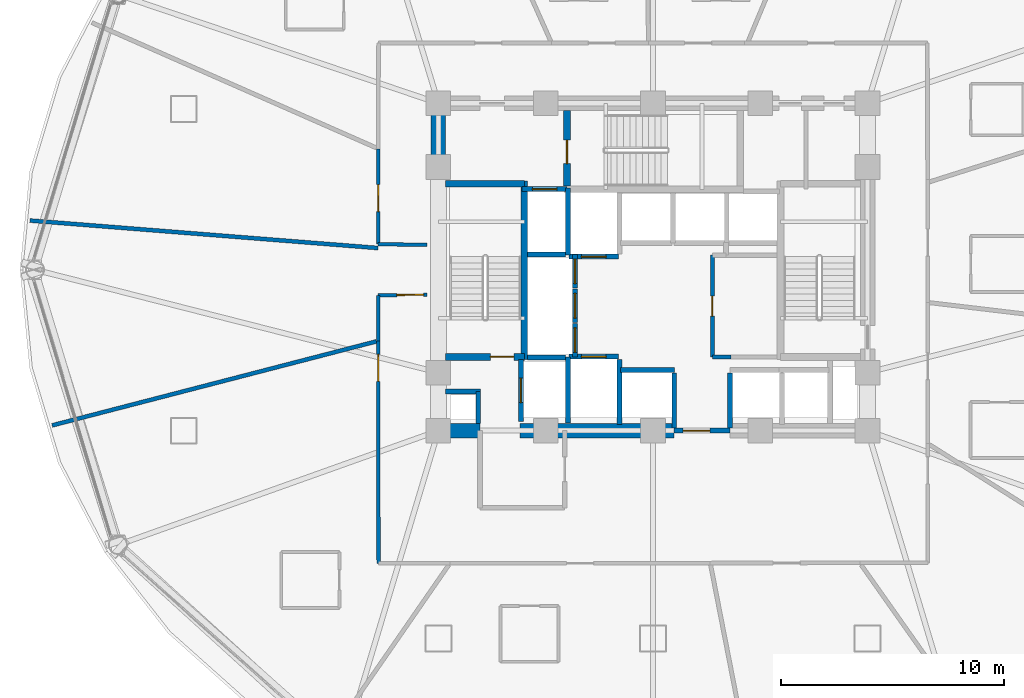
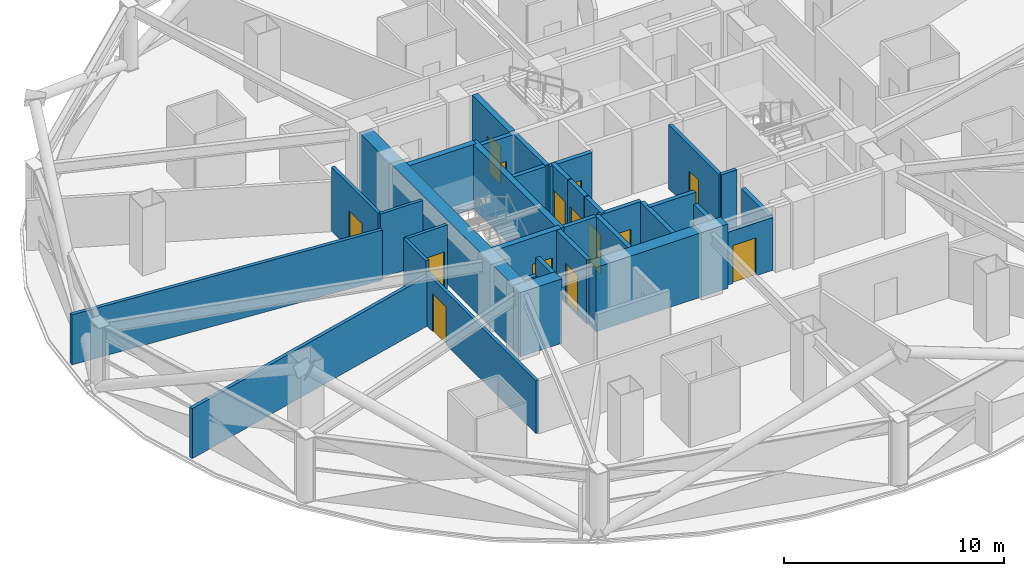
# One storey, part 25 of 33: 34 walls, 14 doors, 14 openings.
"""IFC4 building model written with IfcOpenShell, lengths in metres."""

from ifc_helpers import new_model, si_unit, direction, frame, frame_2d, origin, place, context, subcontext, project, spatial, rectangle, extrude, material, layer, layer_set, type_object, element, fill, save


model = new_model("IFC4")

# Units and contexts
model_context = context("Model", 3, precision=1e-05, world=origin(), true_north=direction((0.0, 1.0)))
body_context = subcontext(model_context, "Body", "Model", "MODEL_VIEW")
ifc_project = project(units=[si_unit("LENGTHUNIT", "METRE"), si_unit("AREAUNIT", "SQUARE_METRE"), si_unit("VOLUMEUNIT", "CUBIC_METRE"), si_unit("PLANEANGLEUNIT", "RADIAN"), si_unit("MASSUNIT", "GRAM", prefix="KILO")], contexts=[model_context])

# Site, building, storey
site_placement = place(None, origin())
site = spatial("IfcSite", under=ifc_project, at=site_placement, CompositionType="ELEMENT")
building_placement = place(site_placement, origin())
building = spatial("IfcBuilding", under=site, at=building_placement, Name="Vantalir Tower", CompositionType="ELEMENT")
storey_placement = place(building_placement, frame((0.0, 0.0, 72.0)))
storey = spatial("IfcBuildingStorey", under=building, at=storey_placement, Name="L17", CompositionType="ELEMENT", Elevation=72.0)

# Walls
ifc_material_1 = material(Name="Concrete C60/75", Category="concrete")
ifc_layer_1 = layer(ifc_material_1, 0.64990234375)
ifc_layer_set_1 = layer_set([ifc_layer_1], Name="Concrete C60/75")
wall_type_1 = type_object("IfcWallType", Name="WL-CORE-650", PredefinedType="SHEAR", material=ifc_layer_set_1)
wall_1_placement = place(storey_placement, frame((21.574951171875, 17.800048828125, 0.0), z_axis=(0.0, 0.0, 1.0), x_axis=(1.0, 0.0, 0.0)))
element("IfcWall", 1, at=wall_1_placement, inside=storey, type_object=wall_type_1, Name="L17 Core Shear Wall South-West", PredefinedType="SHEAR", context=body_context, shape_type="SweptSolid", body=[
    extrude(rectangle(XDim=2.175048828125, YDim=0.64990234375, at=frame_2d((1.08740234375, 0.0))), origin(), (0.0, 0.0, 1.0), 3.570068359375),
])
wall_2_placement = place(storey_placement, frame((25.550048828125, 17.800048828125, 0.0), z_axis=(0.0, 0.0, 1.0), x_axis=(1.0, 0.0, 0.0)))
element("IfcWall", 2, at=wall_2_placement, inside=storey, type_object=wall_type_1, Name="L17 Core Shear Wall South-Mid", PredefinedType="SHEAR", context=body_context, shape_type="SweptSolid", body=[
    extrude(rectangle(XDim=6.89990234375, YDim=0.64990234375, at=frame_2d((3.449951171875, 0.0))), origin(), (0.0, 0.0, 1.0), 3.570068359375),
])
wall_3_placement = place(storey_placement, frame((21.89990234375, 18.125, 0.0), z_axis=(0.0, 0.0, 1.0), x_axis=(0.0, 1.0, 0.0)))
element("IfcWall", 3, at=wall_3_placement, inside=storey, type_object=wall_type_1, Name="L17 Core Shear Wall West", PredefinedType="SHEAR", context=body_context, shape_type="SweptSolid", body=[
    extrude(rectangle(XDim=14.0, YDim=0.64990234375, at=frame_2d((7.0, 0.0))), origin(), (0.0, 0.0, 1.0), 3.570068359375),
])
ifc_material_2 = material(Name="Fire-rated hotel corridor acoustic partition", Category="gypsum")
ifc_layer_2 = layer(ifc_material_2, 0.159912109375)
ifc_layer_set_2 = layer_set([ifc_layer_2], Name="Fire-rated hotel corridor acoustic partition")
wall_type_2 = type_object("IfcWallType", Name="WL-CORR-160", PredefinedType="PARTITIONING", material=ifc_layer_set_2)
wall_4_placement = place(storey_placement, frame((21.39501953125, 26.116943359375, 0.0), z_axis=(0.0, 0.0, 1.0), x_axis=(-0.999934504226, 0.011444966545, 0.0)))
element("IfcWall", 4, at=wall_4_placement, inside=storey, type_object=wall_type_2, Name="L17 Corridor Partition 01", PredefinedType="PARTITIONING", context=body_context, shape_type="SweptSolid", body=[
    extrude(rectangle(XDim=2.197265625, YDim=0.159912109375, at=frame_2d((1.0986328125, 0.0))), origin(), (0.0, 0.0, 1.0), 3.550048828125),
])

# Wall, opening, door
wall_5_placement = place(storey_placement, frame((19.197998046875, 26.14208984375, 0.0), z_axis=(0.0, 0.0, 1.0), x_axis=(0.002342582991, 0.999997256149, 0.0)))
wall_5 = element("IfcWall", 5, at=wall_5_placement, inside=storey, type_object=wall_type_2, Name="L17 Corridor Partition 02", PredefinedType="PARTITIONING", context=body_context, shape_type="SweptSolid", body=[
    extrude(rectangle(XDim=4.27294921875, YDim=0.159912109375, at=frame_2d((2.136474609375, 0.0))), origin(), (0.0, 0.0, 1.0), 3.550048828125),
])
opening_1_placement = place(wall_5_placement, frame((1.464111328125, 0.0, 0.0)))
opening_1 = element("IfcOpeningElement", 6, at=opening_1_placement, cuts=wall_5, Name="Opening D-STE", PredefinedType="OPENING", context=body_context, shape_type="SweptSolid", body=[
    extrude(rectangle(XDim=1.199951171875, YDim=2.10009765625, at=frame_2d((0.60009765625, 1.050048828125))), frame((0.0, 0.08984375, 0.0), z_axis=(0.0, -1.0, 0.0), x_axis=(1.0, 0.0, 0.0)), (0.0, 0.0, 1.0), 0.179931640625),
])
ifc_material_3 = material(Name="Solid-core teak veneer suite entrance door", Category="wood")
door_type_1 = type_object("IfcDoorType", Name="DR-SUITE-ENTRY-1200", OperationType="NOTDEFINED", PredefinedType="DOOR", material=ifc_material_3)
door_1_placement = place(opening_1_placement, origin())
door_1 = element("IfcDoor", 7, at=door_1_placement, inside=storey, type_object=door_type_1, Name="L17 Executive Sky Boardroom 05 Door", OperationType="SINGLE_SWING_LEFT", OverallHeight=2.10009765625, OverallWidth=1.199951171875, PredefinedType="DOOR", context=body_context, shape_type="SweptSolid", body=[
    extrude(rectangle(XDim=1.199951171875, YDim=2.10009765625, at=frame_2d((0.60009765625, 1.050048828125))), frame((0.0, 0.02490234375, 0.0), z_axis=(0.0, -1.0, 0.0), x_axis=(1.0, 0.0, 0.0)), (0.0, 0.0, 1.0), 0.050048828125),
])
fill(opening_1, door_1)

wall_6_placement = place(storey_placement, frame((19.218994140625, 11.866943359375, 0.0), z_axis=(0.0, 0.0, 1.0), x_axis=(-0.001717915349, 0.999998524382, 0.0)))
wall_6 = element("IfcWall", 8, at=wall_6_placement, inside=storey, type_object=wall_type_2, Name="L17 Corridor Partition 16", PredefinedType="PARTITIONING", context=body_context, shape_type="SweptSolid", body=[
    extrude(rectangle(XDim=9.947998046875, YDim=0.159912109375, at=frame_2d((4.97412109375, 0.0))), origin(), (0.0, 0.0, 1.0), 2.927978515625),
])
opening_2_placement = place(wall_6_placement, frame((8.14404296875, 0.0, 0.0)))
opening_2 = element("IfcOpeningElement", 9, at=opening_2_placement, cuts=wall_6, Name="Opening D-STE", PredefinedType="OPENING", context=body_context, shape_type="SweptSolid", body=[
    extrude(rectangle(XDim=1.199951171875, YDim=2.10009765625, at=frame_2d((0.60009765625, 1.050048828125))), frame((0.0, 0.08984375, 0.0), z_axis=(0.0, -1.0, 0.0), x_axis=(1.0, 0.0, 0.0)), (0.0, 0.0, 1.0), 0.179931640625),
])
door_2_placement = place(opening_2_placement, origin())
door_2 = element("IfcDoor", 10, at=door_2_placement, inside=storey, type_object=door_type_1, Name="L17 Executive Club Hotel Suite 07 Door", OperationType="SINGLE_SWING_LEFT", OverallHeight=2.10009765625, OverallWidth=1.199951171875, PredefinedType="DOOR", context=body_context, shape_type="SweptSolid", body=[
    extrude(rectangle(XDim=1.199951171875, YDim=2.10009765625, at=frame_2d((0.60009765625, 1.050048828125))), frame((0.0, 0.02490234375, 0.0), z_axis=(0.0, -1.0, 0.0), x_axis=(1.0, 0.0, 0.0)), (0.0, 0.0, 1.0), 0.050048828125),
])
fill(opening_2, door_2)

# Wall
wall_7_placement = place(storey_placement, frame((19.201904296875, 21.81494140625, 0.0), z_axis=(0.0, 0.0, 1.0), x_axis=(-0.001912042394, 0.999998172045, 0.0)))
element("IfcWall", 11, at=wall_7_placement, inside=storey, type_object=wall_type_2, Name="L17 Corridor Partition 17", PredefinedType="PARTITIONING", context=body_context, shape_type="SweptSolid", body=[
    extrude(rectangle(XDim=2.04296875, YDim=0.159912109375, at=frame_2d((1.021484375, 0.0))), origin(), (0.0, 0.0, 1.0), 3.550048828125),
])

# Wall, opening, door
wall_8_placement = place(storey_placement, frame((19.197998046875, 23.85791015625, 0.0), z_axis=(0.0, 0.0, 1.0), x_axis=(0.999912578456, 0.013222535486, 0.0)))
wall_8 = element("IfcWall", 12, at=wall_8_placement, inside=storey, type_object=wall_type_2, Name="L17 Corridor Partition 18", PredefinedType="PARTITIONING", context=body_context, shape_type="SweptSolid", body=[
    extrude(rectangle(XDim=2.197265625, YDim=0.159912109375, at=frame_2d((1.0986328125, 0.0))), origin(), (0.0, 0.0, 1.0), 3.550048828125),
])
opening_3_placement = place(wall_8_placement, frame((0.8369140625, 0.0, 0.0)))
opening_3 = element("IfcOpeningElement", 13, at=opening_3_placement, cuts=wall_8, Name="Opening D-STE", PredefinedType="OPENING", context=body_context, shape_type="SweptSolid", body=[
    extrude(rectangle(XDim=1.199951171875, YDim=2.10009765625, at=frame_2d((0.60009765625, 1.050048828125))), frame((0.0, 0.08984375, 0.0), z_axis=(0.0, -1.0, 0.0), x_axis=(1.0, 0.0, 0.0)), (0.0, 0.0, 1.0), 0.179931640625),
])
door_3_placement = place(opening_3_placement, origin())
door_3 = element("IfcDoor", 14, at=door_3_placement, inside=storey, type_object=door_type_1, Name="L17 Executive Sky Boardroom 06 Door", OperationType="SINGLE_SWING_RIGHT", OverallHeight=2.10009765625, OverallWidth=1.199951171875, PredefinedType="DOOR", context=body_context, shape_type="SweptSolid", body=[
    extrude(rectangle(XDim=1.199951171875, YDim=2.10009765625, at=frame_2d((0.60009765625, 1.050048828125))), frame((0.0, 0.02490234375, 0.0), z_axis=(0.0, -1.0, 0.0), x_axis=(1.0, 0.0, 0.0)), (0.0, 0.0, 1.0), 0.050048828125),
])
fill(opening_3, door_3)

# Walls
ifc_material_4 = material(Name="Concrete blockwork with fireboard lining", Category="masonry")
ifc_layer_3 = layer(ifc_material_4, 0.219970703125)
ifc_layer_set_3 = layer_set([ifc_layer_3], Name="Concrete blockwork with fireboard lining")
wall_type_3 = type_object("IfcWallType", Name="WL-FFL-220", PredefinedType="PARTITIONING", material=ifc_layer_set_3)
wall_9_placement = place(storey_placement, frame((30.0, 18.080078125, 0.0), z_axis=(0.0, 0.0, 1.0), x_axis=(0.0, 1.0, 0.0)))
element("IfcWall", 15, at=wall_9_placement, inside=storey, type_object=wall_type_3, Name="L17 Service Lift SV1 East Shaft Wall", PredefinedType="PARTITIONING", context=body_context, shape_type="SweptSolid", body=[
    extrude(rectangle(XDim=2.89990234375, YDim=0.219970703125, at=frame_2d((1.449951171875, 0.0))), origin(), (0.0, 0.0, 1.0), 3.544921875),
])
for number, where, z_axis, x_axis, name in (
    (16, (32.449951171875, 17.919921875, 0.0), (0.0, 0.0, 1.0), (0.0, 1.0, 0.0), "L17 Shuttle Lift PL-X1 East Shaft Cheek"),
    (17, (34.949951171875, 17.919921875, 0.0), (0.0, 0.0, 1.0), (0.0, 1.0, 0.0), "L17 Shuttle Lift PL-X3 West Shaft Cheek"),
):
    element("IfcWall", number, at=place(storey_placement, frame(where, z_axis=z_axis, x_axis=x_axis)), inside=storey, type_object=wall_type_3, Name=name, PredefinedType="PARTITIONING", context=body_context, shape_type="SweptSolid", body=[
        extrude(rectangle(XDim=2.469970703125, YDim=0.219970703125, at=frame_2d((1.23486328125, 0.0))), origin(), (0.0, 0.0, 1.0), 2.927978515625),
    ])

# Wall, opening, door
wall_10_placement = place(storey_placement, frame((32.449951171875, 17.800048828125, 0.0), z_axis=(0.0, 0.0, 1.0), x_axis=(1.0, 0.0, 0.0)))
wall_10 = element("IfcWall", 18, at=wall_10_placement, inside=storey, type_object=wall_type_3, Name="L17 Passenger Lift Lobby South Wall", PredefinedType="PARTITIONING", context=body_context, shape_type="SweptSolid", body=[
    extrude(rectangle(XDim=2.5, YDim=0.219970703125, at=frame_2d((1.25, 0.0))), origin(), (0.0, 0.0, 1.0), 2.927978515625),
])
opening_4_placement = place(wall_10_placement, frame((0.39990234375, 0.0, 0.0)))
opening_4 = element("IfcOpeningElement", 19, at=opening_4_placement, cuts=wall_10, Name="Opening D-STE", PredefinedType="OPENING", context=body_context, shape_type="SweptSolid", body=[
    extrude(rectangle(XDim=1.199951171875, YDim=2.10009765625, at=frame_2d((0.60009765625, 1.050048828125))), frame((0.0, 0.119873046875, 0.0), z_axis=(0.0, -1.0, 0.0), x_axis=(1.0, 0.0, 0.0)), (0.0, 0.0, 1.0), 0.239990234375),
])
door_4_placement = place(opening_4_placement, origin())
door_4 = element("IfcDoor", 20, at=door_4_placement, inside=storey, type_object=door_type_1, Name="L17 Passenger Lift Lobby Concourse Door", OperationType="SINGLE_SWING_RIGHT", OverallHeight=2.10009765625, OverallWidth=1.199951171875, PredefinedType="DOOR", context=body_context, shape_type="SweptSolid", body=[
    extrude(rectangle(XDim=1.199951171875, YDim=2.10009765625, at=frame_2d((0.60009765625, 1.050048828125))), frame((0.0, 0.02490234375, 0.0), z_axis=(0.0, -1.0, 0.0), x_axis=(1.0, 0.0, 0.0)), (0.0, 0.0, 1.0), 0.050048828125),
])
fill(opening_4, door_4)

# Walls
wall_11_placement = place(storey_placement, frame((23.679931640625, 18.125, 0.0), z_axis=(0.0, 0.0, 1.0), x_axis=(0.0, 1.0, 0.0)))
element("IfcWall", 21, at=wall_11_placement, inside=storey, type_object=wall_type_3, Name="L17 West MEP Riser Wall E", PredefinedType="PARTITIONING", context=body_context, shape_type="SweptSolid", body=[
    extrude(rectangle(XDim=1.425048828125, YDim=0.219970703125, at=frame_2d((0.71240234375, 0.0))), origin(), (0.0, 0.0, 1.0), 3.550048828125),
])
wall_12_placement = place(storey_placement, frame((22.22509765625, 19.550048828125, 0.0), z_axis=(0.0, 0.0, 1.0), x_axis=(1.0, 0.0, 0.0)))
element("IfcWall", 22, at=wall_12_placement, inside=storey, type_object=wall_type_3, Name="L17 West MEP Riser Wall N", PredefinedType="PARTITIONING", context=body_context, shape_type="SweptSolid", body=[
    extrude(rectangle(XDim=1.56494140625, YDim=0.219970703125, at=frame_2d((0.782470703125, 0.0))), origin(), (0.0, 0.0, 1.0), 2.594970703125),
])

# Wall, opening, door
wall_13_placement = place(storey_placement, frame((25.590087890625, 18.219970703125, 0.0), z_axis=(0.0, 0.0, 1.0), x_axis=(0.0, 1.0, 0.0)))
wall_13 = element("IfcWall", 23, at=wall_13_placement, inside=storey, type_object=wall_type_3, Name="L17 Lift FL1 Shaft Front Wall", PredefinedType="PARTITIONING", context=body_context, shape_type="SweptSolid", body=[
    extrude(rectangle(XDim=2.760009765625, YDim=0.219970703125, at=frame_2d((1.3798828125, 0.0))), origin(), (0.0, 0.0, 1.0), 3.550048828125),
])
opening_5_placement = place(wall_13_placement, frame((0.830078125, 0.0, 0.0)))
opening_5 = element("IfcOpeningElement", 24, at=opening_5_placement, cuts=wall_13, Name="Opening LD-FL1", PredefinedType="OPENING", context=body_context, shape_type="SweptSolid", body=[
    extrude(rectangle(XDim=1.10009765625, YDim=2.199951171875, at=frame_2d((0.550048828125, 1.10009765625))), frame((0.0, 0.119873046875, 0.0), z_axis=(0.0, -1.0, 0.0), x_axis=(1.0, 0.0, 0.0)), (0.0, 0.0, 1.0), 0.239990234375),
])
ifc_material_5 = material(Name="Brushed stainless-steel sliding lift landing door", Category="steel")
door_type_2 = type_object("IfcDoorType", Name="DR-LIFT-LANDING-1100", OperationType="DOUBLE_DOOR_SLIDING", PredefinedType="DOOR", material=ifc_material_5)
door_5_placement = place(opening_5_placement, origin())
door_5 = element("IfcDoor", 25, at=door_5_placement, inside=storey, type_object=door_type_2, Name="L17 Lift Landing Door FL1", OperationType="DOUBLE_DOOR_SLIDING", OverallHeight=2.199951171875, OverallWidth=1.10009765625, PredefinedType="DOOR", context=body_context, shape_type="SweptSolid", body=[
    extrude(rectangle(XDim=1.10009765625, YDim=2.199951171875, at=frame_2d((0.550048828125, 1.10009765625))), frame((0.0, 0.02490234375, 0.0), z_axis=(0.0, -1.0, 0.0), x_axis=(1.0, 0.0, 0.0)), (0.0, 0.0, 1.0), 0.050048828125),
])
fill(opening_5, door_5)

wall_14_placement = place(storey_placement, frame((25.639892578125, 28.610107421875, 0.0), z_axis=(0.0, 0.0, 1.0), x_axis=(1.0, 0.0, 0.0)))
wall_14 = element("IfcWall", 26, at=wall_14_placement, inside=storey, type_object=wall_type_3, Name="L17 Lift FL2 Shaft Front Wall", PredefinedType="PARTITIONING", context=body_context, shape_type="SweptSolid", body=[
    extrude(rectangle(XDim=2.02001953125, YDim=0.219970703125, at=frame_2d((1.010009765625, 0.0))), origin(), (0.0, 0.0, 1.0), 3.550048828125),
])
opening_6_placement = place(wall_14_placement, frame((0.4599609375, 0.0, 0.0)))
opening_6 = element("IfcOpeningElement", 27, at=opening_6_placement, cuts=wall_14, Name="Opening LD-FL2", PredefinedType="OPENING", context=body_context, shape_type="SweptSolid", body=[
    extrude(rectangle(XDim=1.10009765625, YDim=2.199951171875, at=frame_2d((0.550048828125, 1.10009765625))), frame((0.0, 0.119873046875, 0.0), z_axis=(0.0, -1.0, 0.0), x_axis=(1.0, 0.0, 0.0)), (0.0, 0.0, 1.0), 0.239990234375),
])
door_6_placement = place(opening_6_placement, origin())
door_6 = element("IfcDoor", 28, at=door_6_placement, inside=storey, type_object=door_type_2, Name="L17 Lift Landing Door FL2", OperationType="DOUBLE_DOOR_SLIDING", OverallHeight=2.199951171875, OverallWidth=1.10009765625, PredefinedType="DOOR", context=body_context, shape_type="SweptSolid", body=[
    extrude(rectangle(XDim=1.10009765625, YDim=2.199951171875, at=frame_2d((0.550048828125, 1.10009765625))), frame((0.0, 0.02490234375, 0.0), z_axis=(0.0, -1.0, 0.0), x_axis=(1.0, 0.0, 0.0)), (0.0, 0.0, 1.0), 0.050048828125),
])
fill(opening_6, door_6)

wall_15_placement = place(storey_placement, frame((27.739990234375, 21.110107421875, 0.0), z_axis=(0.0, 0.0, 1.0), x_axis=(1.0, 0.0, 0.0)))
wall_15 = element("IfcWall", 29, at=wall_15_placement, inside=storey, type_object=wall_type_3, Name="L17 Lift SV1 Shaft Front Wall", PredefinedType="PARTITIONING", context=body_context, shape_type="SweptSolid", body=[
    extrude(rectangle(XDim=2.219970703125, YDim=0.219970703125, at=frame_2d((1.10986328125, 0.0))), origin(), (0.0, 0.0, 1.0), 3.550048828125),
])
opening_7_placement = place(wall_15_placement, frame((0.56005859375, 0.0, 0.0)))
opening_7 = element("IfcOpeningElement", 30, at=opening_7_placement, cuts=wall_15, Name="Opening LD-SV1", PredefinedType="OPENING", context=body_context, shape_type="SweptSolid", body=[
    extrude(rectangle(XDim=1.10009765625, YDim=2.199951171875, at=frame_2d((0.550048828125, 1.10009765625))), frame((0.0, 0.119873046875, 0.0), z_axis=(0.0, -1.0, 0.0), x_axis=(1.0, 0.0, 0.0)), (0.0, 0.0, 1.0), 0.239990234375),
])
door_7_placement = place(opening_7_placement, origin())
door_7 = element("IfcDoor", 31, at=door_7_placement, inside=storey, type_object=door_type_2, Name="L17 Lift Landing Door SV1", OperationType="DOUBLE_DOOR_SLIDING", OverallHeight=2.199951171875, OverallWidth=1.10009765625, PredefinedType="DOOR", context=body_context, shape_type="SweptSolid", body=[
    extrude(rectangle(XDim=1.10009765625, YDim=2.199951171875, at=frame_2d((0.550048828125, 1.10009765625))), frame((0.0, 0.02490234375, 0.0), z_axis=(0.0, -1.0, 0.0), x_axis=(1.0, 0.0, 0.0)), (0.0, 0.0, 1.0), 0.050048828125),
])
fill(opening_7, door_7)

wall_16_placement = place(storey_placement, frame((27.739990234375, 25.590087890625, 0.0), z_axis=(0.0, 0.0, 1.0), x_axis=(1.0, 0.0, 0.0)))
wall_16 = element("IfcWall", 32, at=wall_16_placement, inside=storey, type_object=wall_type_3, Name="L17 Lift SV2 Shaft Front Wall", PredefinedType="PARTITIONING", context=body_context, shape_type="SweptSolid", body=[
    extrude(rectangle(XDim=2.219970703125, YDim=0.219970703125, at=frame_2d((1.10986328125, 0.0))), origin(), (0.0, 0.0, 1.0), 3.550048828125),
])
opening_8_placement = place(wall_16_placement, frame((0.56005859375, 0.0, 0.0)))
opening_8 = element("IfcOpeningElement", 33, at=opening_8_placement, cuts=wall_16, Name="Opening LD-SV2", PredefinedType="OPENING", context=body_context, shape_type="SweptSolid", body=[
    extrude(rectangle(XDim=1.10009765625, YDim=2.199951171875, at=frame_2d((0.550048828125, 1.10009765625))), frame((0.0, 0.119873046875, 0.0), z_axis=(0.0, -1.0, 0.0), x_axis=(1.0, 0.0, 0.0)), (0.0, 0.0, 1.0), 0.239990234375),
])
door_8_placement = place(opening_8_placement, frame((1.10009765625, 0.0, 0.0), z_axis=(0.0, 0.0, 1.0), x_axis=(-1.0, 0.0, 0.0)))
door_8 = element("IfcDoor", 34, at=door_8_placement, inside=storey, type_object=door_type_2, Name="L17 Lift Landing Door SV2", OperationType="DOUBLE_DOOR_SLIDING", OverallHeight=2.199951171875, OverallWidth=1.10009765625, PredefinedType="DOOR", context=body_context, shape_type="SweptSolid", body=[
    extrude(rectangle(XDim=1.10009765625, YDim=2.199951171875, at=frame_2d((0.550048828125, 1.10009765625))), frame((0.0, 0.02490234375, 0.0), z_axis=(0.0, -1.0, 0.0), x_axis=(1.0, 0.0, 0.0)), (0.0, 0.0, 1.0), 0.050048828125),
])
fill(opening_8, door_8)

# Wall
wall_17_placement = place(storey_placement, frame((30.0400390625, 20.510009765625, 0.0), z_axis=(0.0, 0.0, 1.0), x_axis=(1.0, 0.0, 0.0)))
element("IfcWall", 35, at=wall_17_placement, inside=storey, type_object=wall_type_3, Name="L17 Lift PL-X1 Shaft Front Wall", PredefinedType="PARTITIONING", context=body_context, shape_type="SweptSolid", body=[
    extrude(rectangle(XDim=2.419921875, YDim=0.219970703125, at=frame_2d((1.2099609375, 0.0))), origin(), (0.0, 0.0, 1.0), 3.550048828125),
])

# Wall, opening, door
wall_18_placement = place(storey_placement, frame((28.010009765625, 21.10009765625, 0.0), z_axis=(0.0, 0.0, 1.0), x_axis=(0.0, 1.0, 0.0)))
wall_18 = element("IfcWall", 36, at=wall_18_placement, inside=storey, type_object=wall_type_3, Name="L17 Lift PL-L1 Shaft Front Wall", PredefinedType="PARTITIONING", context=body_context, shape_type="SweptSolid", body=[
    extrude(rectangle(XDim=1.5, YDim=0.219970703125, at=frame_2d((0.75, 0.0))), origin(), (0.0, 0.0, 1.0), 3.550048828125),
])
opening_9_placement = place(wall_18_placement, frame((0.199951171875, 0.0, 0.0)))
opening_9 = element("IfcOpeningElement", 37, at=opening_9_placement, cuts=wall_18, Name="Opening LD-PL-L1", PredefinedType="OPENING", context=body_context, shape_type="SweptSolid", body=[
    extrude(rectangle(XDim=1.10009765625, YDim=2.199951171875, at=frame_2d((0.550048828125, 1.10009765625))), frame((0.0, 0.119873046875, 0.0), z_axis=(0.0, -1.0, 0.0), x_axis=(1.0, 0.0, 0.0)), (0.0, 0.0, 1.0), 0.239990234375),
])
door_9_placement = place(opening_9_placement, frame((1.10009765625, 0.0, 0.0), z_axis=(0.0, 0.0, 1.0), x_axis=(-1.0, 0.0, 0.0)))
door_9 = element("IfcDoor", 38, at=door_9_placement, inside=storey, type_object=door_type_2, Name="L17 Lift Landing Door PL-L1", OperationType="DOUBLE_DOOR_SLIDING", OverallHeight=2.199951171875, OverallWidth=1.10009765625, PredefinedType="DOOR", context=body_context, shape_type="SweptSolid", body=[
    extrude(rectangle(XDim=1.10009765625, YDim=2.199951171875, at=frame_2d((0.550048828125, 1.10009765625))), frame((0.0, 0.02490234375, 0.0), z_axis=(0.0, -1.0, 0.0), x_axis=(1.0, 0.0, 0.0)), (0.0, 0.0, 1.0), 0.050048828125),
])
fill(opening_9, door_9)

wall_19_placement = place(storey_placement, frame((28.010009765625, 22.639892578125, 0.0), z_axis=(0.0, 0.0, 1.0), x_axis=(0.0, 1.0, 0.0)))
wall_19 = element("IfcWall", 39, at=wall_19_placement, inside=storey, type_object=wall_type_3, Name="L17 Lift PL-L2 Shaft Front Wall", PredefinedType="PARTITIONING", context=body_context, shape_type="SweptSolid", body=[
    extrude(rectangle(XDim=1.5, YDim=0.219970703125, at=frame_2d((0.75, 0.0))), origin(), (0.0, 0.0, 1.0), 3.550048828125),
])
opening_10_placement = place(wall_19_placement, frame((0.199951171875, 0.0, 0.0)))
opening_10 = element("IfcOpeningElement", 40, at=opening_10_placement, cuts=wall_19, Name="Opening LD-PL-L2", PredefinedType="OPENING", context=body_context, shape_type="SweptSolid", body=[
    extrude(rectangle(XDim=1.10009765625, YDim=2.199951171875, at=frame_2d((0.550048828125, 1.10009765625))), frame((0.0, 0.119873046875, 0.0), z_axis=(0.0, -1.0, 0.0), x_axis=(1.0, 0.0, 0.0)), (0.0, 0.0, 1.0), 0.239990234375),
])
door_10_placement = place(opening_10_placement, frame((1.10009765625, 0.0, 0.0), z_axis=(0.0, 0.0, 1.0), x_axis=(-1.0, 0.0, 0.0)))
door_10 = element("IfcDoor", 41, at=door_10_placement, inside=storey, type_object=door_type_2, Name="L17 Lift Landing Door PL-L2", OperationType="DOUBLE_DOOR_SLIDING", OverallHeight=2.199951171875, OverallWidth=1.10009765625, PredefinedType="DOOR", context=body_context, shape_type="SweptSolid", body=[
    extrude(rectangle(XDim=1.10009765625, YDim=2.199951171875, at=frame_2d((0.550048828125, 1.10009765625))), frame((0.0, 0.02490234375, 0.0), z_axis=(0.0, -1.0, 0.0), x_axis=(1.0, 0.0, 0.0)), (0.0, 0.0, 1.0), 0.050048828125),
])
fill(opening_10, door_10)

wall_20_placement = place(storey_placement, frame((28.010009765625, 24.179931640625, 0.0), z_axis=(0.0, 0.0, 1.0), x_axis=(0.0, 1.0, 0.0)))
wall_20 = element("IfcWall", 42, at=wall_20_placement, inside=storey, type_object=wall_type_3, Name="L17 Lift PL-L3 Shaft Front Wall", PredefinedType="PARTITIONING", context=body_context, shape_type="SweptSolid", body=[
    extrude(rectangle(XDim=1.5, YDim=0.219970703125, at=frame_2d((0.75, 0.0))), origin(), (0.0, 0.0, 1.0), 3.550048828125),
])
opening_11_placement = place(wall_20_placement, frame((0.199951171875, 0.0, 0.0)))
opening_11 = element("IfcOpeningElement", 43, at=opening_11_placement, cuts=wall_20, Name="Opening LD-PL-L3", PredefinedType="OPENING", context=body_context, shape_type="SweptSolid", body=[
    extrude(rectangle(XDim=1.10009765625, YDim=2.199951171875, at=frame_2d((0.550048828125, 1.10009765625))), frame((0.0, 0.119873046875, 0.0), z_axis=(0.0, -1.0, 0.0), x_axis=(1.0, 0.0, 0.0)), (0.0, 0.0, 1.0), 0.239990234375),
])
door_11_placement = place(opening_11_placement, frame((1.10009765625, 0.0, 0.0), z_axis=(0.0, 0.0, 1.0), x_axis=(-1.0, 0.0, 0.0)))
door_11 = element("IfcDoor", 44, at=door_11_placement, inside=storey, type_object=door_type_2, Name="L17 Lift Landing Door PL-L3", OperationType="DOUBLE_DOOR_SLIDING", OverallHeight=2.199951171875, OverallWidth=1.10009765625, PredefinedType="DOOR", context=body_context, shape_type="SweptSolid", body=[
    extrude(rectangle(XDim=1.10009765625, YDim=2.199951171875, at=frame_2d((0.550048828125, 1.10009765625))), frame((0.0, 0.02490234375, 0.0), z_axis=(0.0, -1.0, 0.0), x_axis=(1.0, 0.0, 0.0)), (0.0, 0.0, 1.0), 0.050048828125),
])
fill(opening_11, door_11)

# Walls
wall_21_placement = place(storey_placement, frame((27.699951171875, 18.14990234375, 0.0), z_axis=(0.0, 0.0, 1.0), x_axis=(0.0, 1.0, 0.0)))
element("IfcWall", 45, at=wall_21_placement, inside=storey, type_object=wall_type_3, Name="L17 Fire Lift FL1 Dividing Wall", PredefinedType="PARTITIONING", context=body_context, shape_type="SweptSolid", body=[
    extrude(rectangle(XDim=2.9501953125, YDim=0.219970703125, at=frame_2d((1.47509765625, 0.0))), origin(), (0.0, 0.0, 1.0), 3.550048828125),
])
wall_22_placement = place(storey_placement, frame((27.699951171875, 25.64990234375, 0.0), z_axis=(0.0, 0.0, 1.0), x_axis=(0.0, 1.0, 0.0)))
element("IfcWall", 46, at=wall_22_placement, inside=storey, type_object=wall_type_3, Name="L17 Fire Lift FL2 Dividing Wall", PredefinedType="PARTITIONING", context=body_context, shape_type="SweptSolid", body=[
    extrude(rectangle(XDim=3.0, YDim=0.219970703125, at=frame_2d((1.5, 0.0))), origin(), (0.0, 0.0, 1.0), 3.550048828125),
])
for number, where, z_axis, x_axis, name in (
    (47, (25.8798828125, 21.080078125, 0.0), (0.0, 0.0, 1.0), (1.0, 0.0, 0.0), "L17 Low-Rise Bank South Wall"),
    (48, (25.8798828125, 25.679931640625, 0.0), (0.0, 0.0, 1.0), (1.0, 0.0, 0.0), "L17 Low-Rise Bank North Wall"),
):
    element("IfcWall", number, at=place(storey_placement, frame(where, z_axis=z_axis, x_axis=x_axis)), inside=storey, type_object=wall_type_3, Name=name, PredefinedType="PARTITIONING", context=body_context, shape_type="SweptSolid", body=[
        extrude(rectangle(XDim=1.7001953125, YDim=0.219970703125, at=frame_2d((0.85009765625, 0.0))), origin(), (0.0, 0.0, 1.0), 3.550048828125),
    ])
ifc_material_6 = material(Name="Twin-stud acoustic fire-rated gypsum partition", Category="gypsum")
ifc_layer_4 = layer(ifc_material_6, 0.179931640625)
ifc_layer_set_4 = layer_set([ifc_layer_4], Name="Twin-stud acoustic fire-rated gypsum partition")
wall_type_4 = type_object("IfcWallType", Name="WL-GUEST-180", PredefinedType="PARTITIONING", material=ifc_layer_set_4)
wall_23_placement = place(storey_placement, frame((34.159912109375, 21.10009765625, 0.0), z_axis=(0.0, 0.0, 1.0), x_axis=(1.0, 0.0, 0.0)))
element("IfcWall", 49, at=wall_23_placement, inside=storey, type_object=wall_type_4, Name="L17 East IT Room South Return", PredefinedType="PARTITIONING", context=body_context, shape_type="SweptSolid", body=[
    extrude(rectangle(XDim=0.820068359375, YDim=0.179931640625, at=frame_2d((0.41015625, 0.0))), origin(), (0.0, 0.0, 1.0), 3.550048828125),
])

# Wall, opening, door
wall_24_placement = place(storey_placement, frame((34.159912109375, 21.10009765625, 0.0), z_axis=(0.0, 0.0, 1.0), x_axis=(0.0, 1.0, 0.0)))
wall_24 = element("IfcWall", 50, at=wall_24_placement, inside=storey, type_object=wall_type_4, Name="L17 East IT Room West Wall", PredefinedType="PARTITIONING", context=body_context, shape_type="SweptSolid", body=[
    extrude(rectangle(XDim=4.5498046875, YDim=0.179931640625, at=frame_2d((2.27490234375, 0.0))), origin(), (0.0, 0.0, 1.0), 3.550048828125),
])
opening_12_placement = place(wall_24_placement, frame((1.824951171875, 0.0, 0.0)))
opening_12 = element("IfcOpeningElement", 51, at=opening_12_placement, cuts=wall_24, Name="Opening D-CR", PredefinedType="OPENING", context=body_context, shape_type="SweptSolid", body=[
    extrude(rectangle(XDim=0.89990234375, YDim=2.10009765625, at=frame_2d((0.449951171875, 1.050048828125))), frame((0.0, 0.099853515625, 0.0), z_axis=(0.0, -1.0, 0.0), x_axis=(1.0, 0.0, 0.0)), (0.0, 0.0, 1.0), 0.199951171875),
])
ifc_material_7 = material(Name="Fire-rated steel core service door", Category="steel")
door_type_3 = type_object("IfcDoorType", Name="DR-CORE-SERV-900", OperationType="NOTDEFINED", PredefinedType="DOOR", material=ifc_material_7)
door_12_placement = place(opening_12_placement, frame((0.89990234375, 0.0, 0.0), z_axis=(0.0, 0.0, 1.0), x_axis=(-1.0, 0.0, 0.0)))
door_12 = element("IfcDoor", 52, at=door_12_placement, inside=storey, type_object=door_type_3, Name="L17 Core Data Switchroom Door", OperationType="SINGLE_SWING_RIGHT", OverallHeight=2.10009765625, OverallWidth=0.89990234375, PredefinedType="DOOR", context=body_context, shape_type="SweptSolid", body=[
    extrude(rectangle(XDim=0.89990234375, YDim=2.10009765625, at=frame_2d((0.449951171875, 1.050048828125))), frame((0.0, 0.02490234375, 0.0), z_axis=(0.0, -1.0, 0.0), x_axis=(1.0, 0.0, 0.0)), (0.0, 0.0, 1.0), 0.050048828125),
])
fill(opening_12, door_12)

# Walls
wall_25_placement = place(storey_placement, frame((19.196044921875, 25.971923828125, 0.0), z_axis=(0.0, 0.0, 1.0), x_axis=(-0.996893373325, 0.078762949547, 0.0)))
element("IfcWall", 53, at=wall_25_placement, inside=storey, type_object=wall_type_4, Name="L17 Radial Suite Partition 06", PredefinedType="PARTITIONING", context=body_context, shape_type="SweptSolid", body=[
    extrude(rectangle(XDim=15.628662109375, YDim=0.179931640625, at=frame_2d((7.814453125, 0.0))), origin(), (0.0, 0.0, 1.0), 2.77490234375),
])
wall_26_placement = place(storey_placement, frame((19.123046875, 21.794921875, 0.0), z_axis=(0.0, 0.0, 1.0), x_axis=(-0.968050799349, -0.250754162238, 0.0)))
element("IfcWall", 54, at=wall_26_placement, inside=storey, type_object=wall_type_4, Name="L17 Radial Suite Partition 07", PredefinedType="PARTITIONING", context=body_context, shape_type="SweptSolid", body=[
    extrude(rectangle(XDim=14.990966796875, YDim=0.179931640625, at=frame_2d((7.49560546875, 0.0))), origin(), (0.0, 0.0, 1.0), 2.77490234375),
])

# Wall, opening, door
ifc_material_8 = material(Name="Concrete C50/60", Category="concrete")
ifc_layer_5 = layer(ifc_material_8, 0.300048828125)
ifc_layer_set_5 = layer_set([ifc_layer_5], Name="Concrete C50/60")
wall_type_5 = type_object("IfcWallType", Name="WL-STAIR-300", PredefinedType="SHEAR", material=ifc_layer_set_5)
wall_27_placement = place(storey_placement, frame((22.22509765625, 21.10009765625, 0.0), z_axis=(0.0, 0.0, 1.0), x_axis=(1.0, 0.0, 0.0)))
wall_27 = element("IfcWall", 55, at=wall_27_placement, inside=storey, type_object=wall_type_5, Name="L17 Stair ST1 South Wall", PredefinedType="SHEAR", context=body_context, shape_type="SweptSolid", body=[
    extrude(rectangle(XDim=3.514892578125, YDim=0.300048828125, at=frame_2d((1.75732421875, 0.0))), origin(), (0.0, 0.0, 1.0), 3.570068359375),
])
opening_13_placement = place(wall_27_placement, frame((1.9951171875, 0.0, 0.0)))
opening_13 = element("IfcOpeningElement", 56, at=opening_13_placement, cuts=wall_27, Name="Opening D-ST", PredefinedType="OPENING", context=body_context, shape_type="SweptSolid", body=[
    extrude(rectangle(XDim=1.050048828125, YDim=2.10009765625, at=frame_2d((0.52490234375, 1.050048828125))), frame((0.0, 0.159912109375, 0.0), z_axis=(0.0, -1.0, 0.0), x_axis=(1.0, 0.0, 0.0)), (0.0, 0.0, 1.0), 0.320068359375),
])
ifc_material_9 = material(Name="Fire-rated steel door leaf", Category="steel")
door_type_4 = type_object("IfcDoorType", Name="DR-FIRE-STAIR-1050", OperationType="NOTDEFINED", PredefinedType="DOOR", material=ifc_material_9)
door_13_placement = place(opening_13_placement, origin())
door_13 = element("IfcDoor", 57, at=door_13_placement, inside=storey, type_object=door_type_4, Name="L17 Exit Stair ST1 Fire Door", OperationType="SINGLE_SWING_RIGHT", OverallHeight=2.10009765625, OverallWidth=1.050048828125, PredefinedType="DOOR", context=body_context, shape_type="SweptSolid", body=[
    extrude(rectangle(XDim=1.050048828125, YDim=2.10009765625, at=frame_2d((0.52490234375, 1.050048828125))), frame((0.0, 0.02490234375, 0.0), z_axis=(0.0, -1.0, 0.0), x_axis=(1.0, 0.0, 0.0)), (0.0, 0.0, 1.0), 0.050048828125),
])
fill(opening_13, door_13)

# Walls
wall_28_placement = place(storey_placement, frame((22.22509765625, 28.85009765625, 0.0), z_axis=(0.0, 0.0, 1.0), x_axis=(1.0, 0.0, 0.0)))
element("IfcWall", 58, at=wall_28_placement, inside=storey, type_object=wall_type_5, Name="L17 Stair ST1 North Wall", PredefinedType="SHEAR", context=body_context, shape_type="SweptSolid", body=[
    extrude(rectangle(XDim=3.514892578125, YDim=0.300048828125, at=frame_2d((1.75732421875, 0.0))), origin(), (0.0, 0.0, 1.0), 3.570068359375),
])
wall_29_placement = place(storey_placement, frame((25.739990234375, 20.97998046875, 0.0), z_axis=(0.0, 0.0, 1.0), x_axis=(0.0, 1.0, 0.0)))
element("IfcWall", 59, at=wall_29_placement, inside=storey, type_object=wall_type_5, Name="L17 Stair ST1 East Wall", PredefinedType="SHEAR", context=body_context, shape_type="SweptSolid", body=[
    extrude(rectangle(XDim=7.989990234375, YDim=0.300048828125, at=frame_2d((3.9951171875, 0.0))), origin(), (0.0, 0.0, 1.0), 3.570068359375),
])

# Wall, opening, door
wall_30_placement = place(storey_placement, frame((27.64990234375, 28.75, 0.0), z_axis=(0.0, 0.0, 1.0), x_axis=(0.0, 1.0, 0.0)))
wall_30 = element("IfcWall", 60, at=wall_30_placement, inside=storey, type_object=wall_type_5, Name="L17 Stair ST3 West Wall", PredefinedType="SHEAR", context=body_context, shape_type="SweptSolid", body=[
    extrude(rectangle(XDim=3.375, YDim=0.300048828125, at=frame_2d((1.6875, 0.0))), origin(), (0.0, 0.0, 1.0), 3.570068359375),
])
opening_14_placement = place(wall_30_placement, frame((1.0, 0.0, 0.0)))
opening_14 = element("IfcOpeningElement", 61, at=opening_14_placement, cuts=wall_30, Name="Opening D-ST", PredefinedType="OPENING", context=body_context, shape_type="SweptSolid", body=[
    extrude(rectangle(XDim=1.050048828125, YDim=2.10009765625, at=frame_2d((0.52490234375, 1.050048828125))), frame((0.0, 0.159912109375, 0.0), z_axis=(0.0, -1.0, 0.0), x_axis=(1.0, 0.0, 0.0)), (0.0, 0.0, 1.0), 0.320068359375),
])
door_14_placement = place(opening_14_placement, frame((1.050048828125, 0.0, 0.0), z_axis=(0.0, 0.0, 1.0), x_axis=(-1.0, 0.0, 0.0)))
door_14 = element("IfcDoor", 62, at=door_14_placement, inside=storey, type_object=door_type_4, Name="L17 Exit Stair ST3 Fire Door", OperationType="SINGLE_SWING_RIGHT", OverallHeight=2.10009765625, OverallWidth=1.050048828125, PredefinedType="DOOR", context=body_context, shape_type="SweptSolid", body=[
    extrude(rectangle(XDim=1.050048828125, YDim=2.10009765625, at=frame_2d((0.52490234375, 1.050048828125))), frame((0.0, 0.02490234375, 0.0), z_axis=(0.0, -1.0, 0.0), x_axis=(1.0, 0.0, 0.0)), (0.0, 0.0, 1.0), 0.050048828125),
])
fill(opening_14, door_14)

save(model, "model.ifc")
